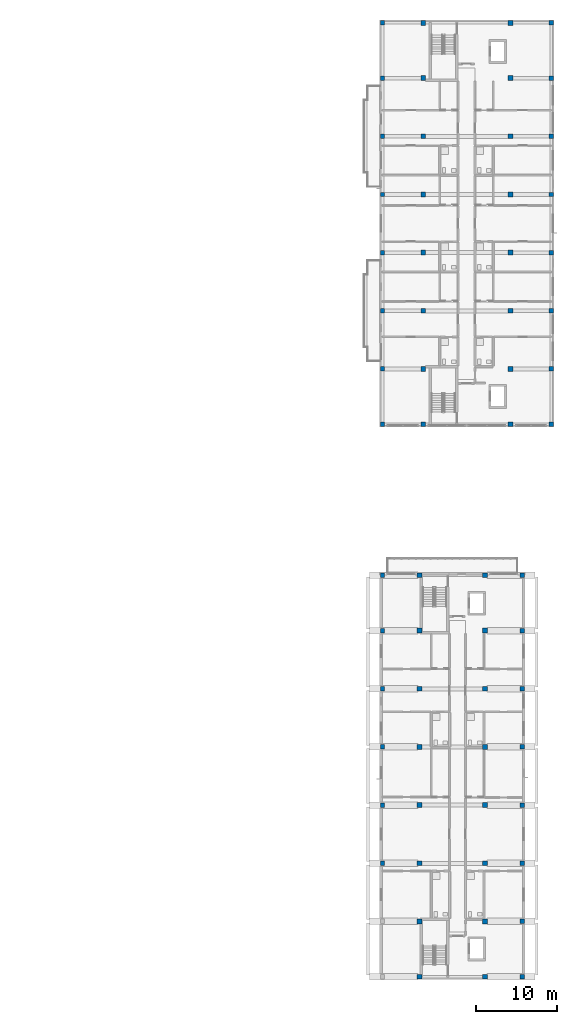
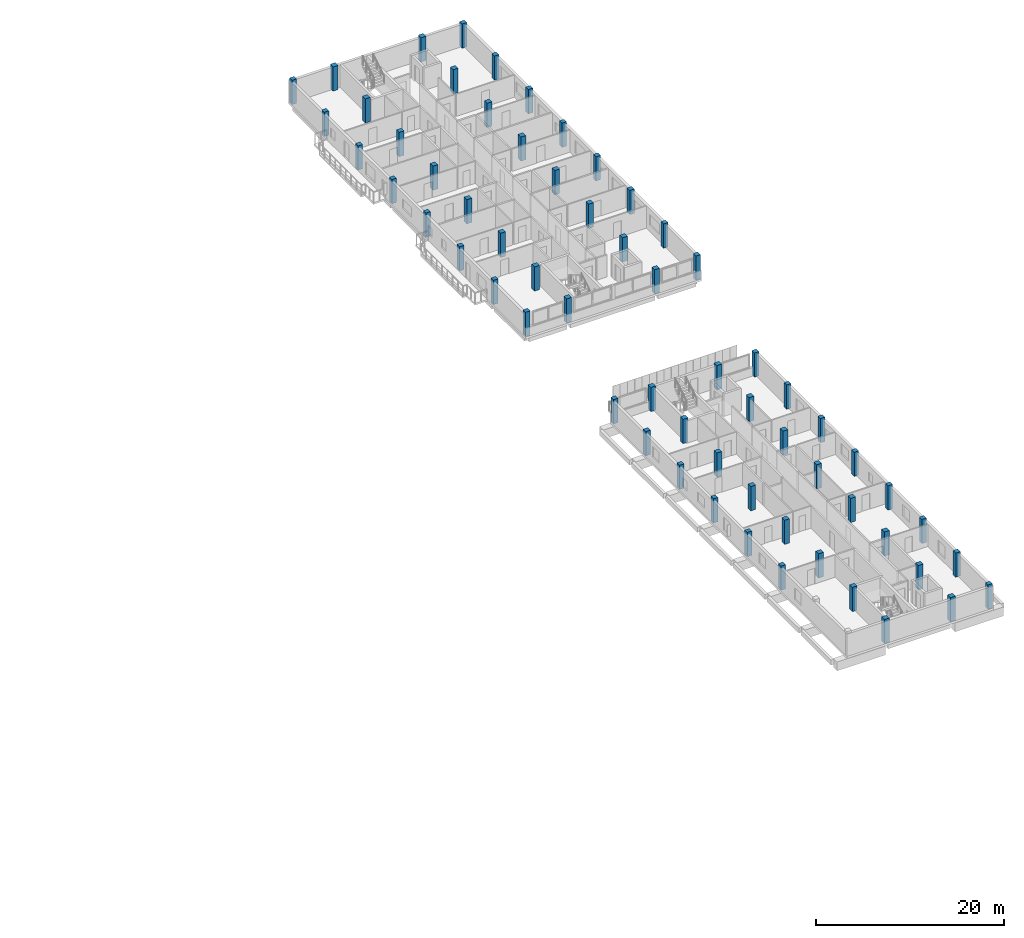
# One storey, part 2 of 41: 62 columns.
"""IFC4 building model written with IfcOpenShell, lengths in metres."""

from ifc_helpers import new_model, si_unit, derived_unit, direction, frame, origin, origin_2d, place, context, subcontext, project, spatial, rectangle, extrude, material, material_profile, profile_set, type_object, element, save


model = new_model("IFC4")

# Units and contexts
model_context = context("Model", 3, precision=1e-05, world=origin(), true_north=direction((0.0, 1.0)))
body_context = subcontext(model_context, "Body", "Model", "MODEL_VIEW")
ifc_project = project(units=[si_unit("LENGTHUNIT", "METRE"), si_unit("AREAUNIT", "SQUARE_METRE"), si_unit("VOLUMEUNIT", "CUBIC_METRE"), si_unit("PLANEANGLEUNIT", "RADIAN"), si_unit("MASSUNIT", "GRAM", prefix="KILO"), derived_unit("THERMALTRANSMITTANCEUNIT", [(si_unit("MASSUNIT", "GRAM", prefix="KILO"), 1), (si_unit("TIMEUNIT", "SECOND"), -3), (si_unit("THERMODYNAMICTEMPERATUREUNIT", "KELVIN"), -1)])], contexts=[model_context])

# Site, building, storey
site_placement = place(None, origin())
site = spatial("IfcSite", under=ifc_project, at=site_placement, CompositionType="ELEMENT")
building_placement = place(site_placement, origin())
building = spatial("IfcBuilding", under=site, at=building_placement, Name="Ochrekiln Boulevard Commons", CompositionType="ELEMENT")
storey_placement = place(building_placement, frame((0.0, 0.0, 21.52490234375)))
storey = spatial("IfcBuildingStorey", under=building, at=storey_placement, Name="L06", CompositionType="ELEMENT", Elevation=21.52490234375)

# Columns
ifc_material_1 = material(Name="Concrete C35/45", Category="concrete")
ifc_material_profile_1 = material_profile(ifc_material_1, rectangle(XDim=0.550048828125, YDim=0.550048828125, at=origin_2d()), Name="RC-COL-550x550")
ifc_profile_set_1 = profile_set([ifc_material_profile_1], Name="Concrete C35/45")
column_type_1 = type_object("IfcColumnType", Name="COL-RC-550", PredefinedType="COLUMN", material=ifc_profile_set_1)
for number, where, z_axis, x_axis, name in (
    (1, (151.550048828125, 68.75, 0.0), (0.0, 0.0, 1.0), (1.0, 0.0, 0.0), "Block B L06 Column C-550 (1)"),
    (2, (151.550048828125, 75.60009765625, 0.0), (0.0, 0.0, 1.0), (1.0, 0.0, 0.0), "Block B L06 Column C-550 (2)"),
    (3, (151.550048828125, 82.800048828125, 0.0), (0.0, 0.0, 1.0), (1.0, 0.0, 0.0), "Block B L06 Column C-550 (3)"),
    (4, (151.550048828125, 90.0, 0.0), (0.0, 0.0, 1.0), (1.0, 0.0, 0.0), "Block B L06 Column C-550 (4)"),
    (5, (151.550048828125, 97.199951171875, 0.0), (0.0, 0.0, 1.0), (1.0, 0.0, 0.0), "Block B L06 Column C-550 (5)"),
    (6, (151.550048828125, 104.39990234375, 0.0), (0.0, 0.0, 1.0), (1.0, 0.0, 0.0), "Block B L06 Column C-550 (6)"),
    (7, (151.550048828125, 111.60009765625, 0.0), (0.0, 0.0, 1.0), (1.0, 0.0, 0.0), "Block B L06 Column C-550 (7)"),
    (8, (151.550048828125, 118.449951171875, 0.0), (0.0, 0.0, 1.0), (1.0, 0.0, 0.0), "Block B L06 Column C-550 (8)"),
    (9, (172.449951171875, 68.75, 0.0), (0.0, 0.0, 1.0), (1.0, 0.0, 0.0), "Block B L06 Column C-550 (25)"),
    (10, (172.449951171875, 75.60009765625, 0.0), (0.0, 0.0, 1.0), (1.0, 0.0, 0.0), "Block B L06 Column C-550 (26)"),
    (11, (172.449951171875, 82.800048828125, 0.0), (0.0, 0.0, 1.0), (1.0, 0.0, 0.0), "Block B L06 Column C-550 (27)"),
    (12, (172.449951171875, 90.0, 0.0), (0.0, 0.0, 1.0), (1.0, 0.0, 0.0), "Block B L06 Column C-550 (28)"),
    (13, (172.449951171875, 97.199951171875, 0.0), (0.0, 0.0, 1.0), (1.0, 0.0, 0.0), "Block B L06 Column C-550 (29)"),
    (14, (172.449951171875, 104.39990234375, 0.0), (0.0, 0.0, 1.0), (1.0, 0.0, 0.0), "Block B L06 Column C-550 (30)"),
    (15, (172.449951171875, 111.60009765625, 0.0), (0.0, 0.0, 1.0), (1.0, 0.0, 0.0), "Block B L06 Column C-550 (31)"),
    (16, (172.449951171875, 118.449951171875, 0.0), (0.0, 0.0, 1.0), (1.0, 0.0, 0.0), "Block B L06 Column C-550 (32)"),
    (17, (151.550048828125, 14.39990234375, 0.0), (0.0, 0.0, 1.0), (1.0, 0.0, 0.0), "Block C L06 Column C-550 (3)"),
    (18, (151.550048828125, 21.60009765625, 0.0), (0.0, 0.0, 1.0), (1.0, 0.0, 0.0), "Block C L06 Column C-550 (4)"),
    (19, (151.550048828125, 28.800048828125, 0.0), (0.0, 0.0, 1.0), (1.0, 0.0, 0.0), "Block C L06 Column C-550 (5)"),
    (20, (151.550048828125, 36.0, 0.0), (0.0, 0.0, 1.0), (1.0, 0.0, 0.0), "Block C L06 Column C-550 (6)"),
    (21, (151.550048828125, 43.199951171875, 0.0), (0.0, 0.0, 1.0), (1.0, 0.0, 0.0), "Block C L06 Column C-550 (7)"),
    (22, (151.550048828125, 50.050048828125, 0.0), (0.0, 0.0, 1.0), (1.0, 0.0, 0.0), "Block C L06 Column C-550 (8)"),
    (23, (168.85009765625, 0.35009765625, 0.0), (0.0, 0.0, 1.0), (1.0, 0.0, 0.0), "Block C L06 Column C-550 (25)"),
    (24, (168.85009765625, 7.199951171875, 0.0), (0.0, 0.0, 1.0), (1.0, 0.0, 0.0), "Block C L06 Column C-550 (26)"),
    (25, (168.85009765625, 14.39990234375, 0.0), (0.0, 0.0, 1.0), (1.0, 0.0, 0.0), "Block C L06 Column C-550 (27)"),
    (26, (168.85009765625, 21.60009765625, 0.0), (0.0, 0.0, 1.0), (1.0, 0.0, 0.0), "Block C L06 Column C-550 (28)"),
    (27, (168.85009765625, 28.800048828125, 0.0), (0.0, 0.0, 1.0), (1.0, 0.0, 0.0), "Block C L06 Column C-550 (29)"),
    (28, (168.85009765625, 36.0, 0.0), (0.0, 0.0, 1.0), (1.0, 0.0, 0.0), "Block C L06 Column C-550 (30)"),
    (29, (168.85009765625, 43.199951171875, 0.0), (0.0, 0.0, 1.0), (1.0, 0.0, 0.0), "Block C L06 Column C-550 (31)"),
    (30, (168.85009765625, 50.050048828125, 0.0), (0.0, 0.0, 1.0), (1.0, 0.0, 0.0), "Block C L06 Column C-550 (32)"),
):
    element("IfcColumn", number, at=place(storey_placement, frame(where, z_axis=z_axis, x_axis=x_axis)), inside=storey, type_object=column_type_1, Name=name, PredefinedType="COLUMN", context=body_context, shape_type="SweptSolid", body=[
        extrude(rectangle(XDim=0.550048828125, YDim=0.550048828125, at=origin_2d()), origin(), (0.0, 0.0, 1.0), 3.150146484375),
    ])
ifc_material_2 = material(Name="Concrete C40/50", Category="concrete")
ifc_material_profile_2 = material_profile(ifc_material_2, rectangle(XDim=0.60009765625, YDim=0.60009765625, at=origin_2d()), Name="RC-COL-600x600")
ifc_profile_set_2 = profile_set([ifc_material_profile_2], Name="Concrete C40/50")
column_type_2 = type_object("IfcColumnType", Name="COL-RC-600", PredefinedType="COLUMN", material=ifc_profile_set_2)
for number, where, z_axis, x_axis, name in (
    (31, (156.60009765625, 68.75, 0.0), (0.0, 0.0, 1.0), (1.0, 0.0, 0.0), "Block B L06 Column C-600 (9)"),
    (32, (156.60009765625, 75.60009765625, 0.0), (0.0, 0.0, 1.0), (1.0, 0.0, 0.0), "Block B L06 Column C-600 (10)"),
    (33, (156.60009765625, 82.800048828125, 0.0), (0.0, 0.0, 1.0), (1.0, 0.0, 0.0), "Block B L06 Column C-600 (11)"),
    (34, (156.60009765625, 90.0, 0.0), (0.0, 0.0, 1.0), (1.0, 0.0, 0.0), "Block B L06 Column C-600 (12)"),
    (35, (156.60009765625, 97.199951171875, 0.0), (0.0, 0.0, 1.0), (1.0, 0.0, 0.0), "Block B L06 Column C-600 (13)"),
    (36, (156.60009765625, 104.39990234375, 0.0), (0.0, 0.0, 1.0), (1.0, 0.0, 0.0), "Block B L06 Column C-600 (14)"),
    (37, (156.60009765625, 111.60009765625, 0.0), (0.0, 0.0, 1.0), (1.0, 0.0, 0.0), "Block B L06 Column C-600 (15)"),
    (38, (156.60009765625, 118.449951171875, 0.0), (0.0, 0.0, 1.0), (1.0, 0.0, 0.0), "Block B L06 Column C-600 (16)"),
    (39, (167.39990234375, 68.75, 0.0), (0.0, 0.0, 1.0), (1.0, 0.0, 0.0), "Block B L06 Column C-600 (17)"),
    (40, (167.39990234375, 75.60009765625, 0.0), (0.0, 0.0, 1.0), (1.0, 0.0, 0.0), "Block B L06 Column C-600 (18)"),
    (41, (167.39990234375, 82.800048828125, 0.0), (0.0, 0.0, 1.0), (1.0, 0.0, 0.0), "Block B L06 Column C-600 (19)"),
    (42, (167.39990234375, 90.0, 0.0), (0.0, 0.0, 1.0), (1.0, 0.0, 0.0), "Block B L06 Column C-600 (20)"),
    (43, (167.39990234375, 97.199951171875, 0.0), (0.0, 0.0, 1.0), (1.0, 0.0, 0.0), "Block B L06 Column C-600 (21)"),
    (44, (167.39990234375, 104.39990234375, 0.0), (0.0, 0.0, 1.0), (1.0, 0.0, 0.0), "Block B L06 Column C-600 (22)"),
    (45, (167.39990234375, 111.60009765625, 0.0), (0.0, 0.0, 1.0), (1.0, 0.0, 0.0), "Block B L06 Column C-600 (23)"),
    (46, (167.39990234375, 118.449951171875, 0.0), (0.0, 0.0, 1.0), (1.0, 0.0, 0.0), "Block B L06 Column C-600 (24)"),
    (47, (156.14990234375, 0.35009765625, 0.0), (0.0, 0.0, 1.0), (1.0, 0.0, 0.0), "Block C L06 Column C-600 (9)"),
    (48, (156.14990234375, 7.199951171875, 0.0), (0.0, 0.0, 1.0), (1.0, 0.0, 0.0), "Block C L06 Column C-600 (10)"),
    (49, (156.14990234375, 14.39990234375, 0.0), (0.0, 0.0, 1.0), (1.0, 0.0, 0.0), "Block C L06 Column C-600 (11)"),
    (50, (156.14990234375, 21.60009765625, 0.0), (0.0, 0.0, 1.0), (1.0, 0.0, 0.0), "Block C L06 Column C-600 (12)"),
    (51, (156.14990234375, 28.800048828125, 0.0), (0.0, 0.0, 1.0), (1.0, 0.0, 0.0), "Block C L06 Column C-600 (13)"),
    (52, (156.14990234375, 36.0, 0.0), (0.0, 0.0, 1.0), (1.0, 0.0, 0.0), "Block C L06 Column C-600 (14)"),
    (53, (156.14990234375, 43.199951171875, 0.0), (0.0, 0.0, 1.0), (1.0, 0.0, 0.0), "Block C L06 Column C-600 (15)"),
    (54, (156.14990234375, 50.050048828125, 0.0), (0.0, 0.0, 1.0), (1.0, 0.0, 0.0), "Block C L06 Column C-600 (16)"),
    (55, (164.25, 0.35009765625, 0.0), (0.0, 0.0, 1.0), (1.0, 0.0, 0.0), "Block C L06 Column C-600 (17)"),
    (56, (164.25, 7.199951171875, 0.0), (0.0, 0.0, 1.0), (1.0, 0.0, 0.0), "Block C L06 Column C-600 (18)"),
    (57, (164.25, 14.39990234375, 0.0), (0.0, 0.0, 1.0), (1.0, 0.0, 0.0), "Block C L06 Column C-600 (19)"),
    (58, (164.25, 21.60009765625, 0.0), (0.0, 0.0, 1.0), (1.0, 0.0, 0.0), "Block C L06 Column C-600 (20)"),
    (59, (164.25, 28.800048828125, 0.0), (0.0, 0.0, 1.0), (1.0, 0.0, 0.0), "Block C L06 Column C-600 (21)"),
    (60, (164.25, 36.0, 0.0), (0.0, 0.0, 1.0), (1.0, 0.0, 0.0), "Block C L06 Column C-600 (22)"),
    (61, (164.25, 43.199951171875, 0.0), (0.0, 0.0, 1.0), (1.0, 0.0, 0.0), "Block C L06 Column C-600 (23)"),
    (62, (164.25, 50.050048828125, 0.0), (0.0, 0.0, 1.0), (1.0, 0.0, 0.0), "Block C L06 Column C-600 (24)"),
):
    element("IfcColumn", number, at=place(storey_placement, frame(where, z_axis=z_axis, x_axis=x_axis)), inside=storey, type_object=column_type_2, Name=name, PredefinedType="COLUMN", context=body_context, shape_type="SweptSolid", body=[
        extrude(rectangle(XDim=0.60009765625, YDim=0.60009765625, at=origin_2d()), origin(), (0.0, 0.0, 1.0), 3.150146484375),
    ])

save(model, "model.ifc")
